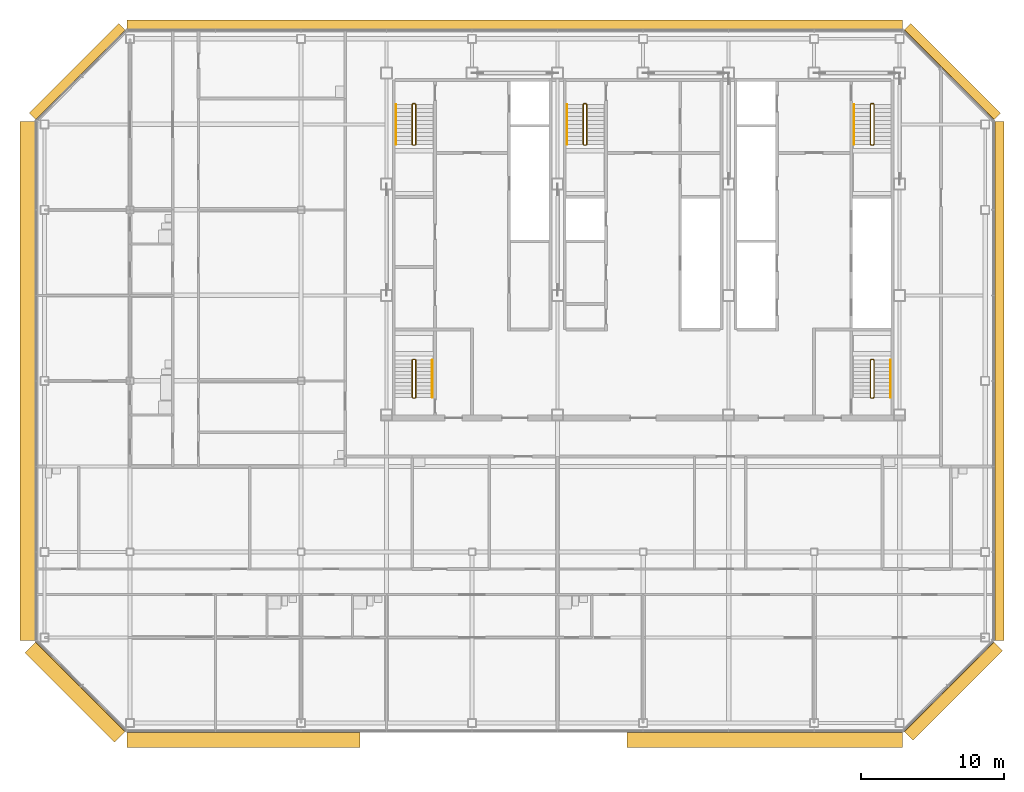
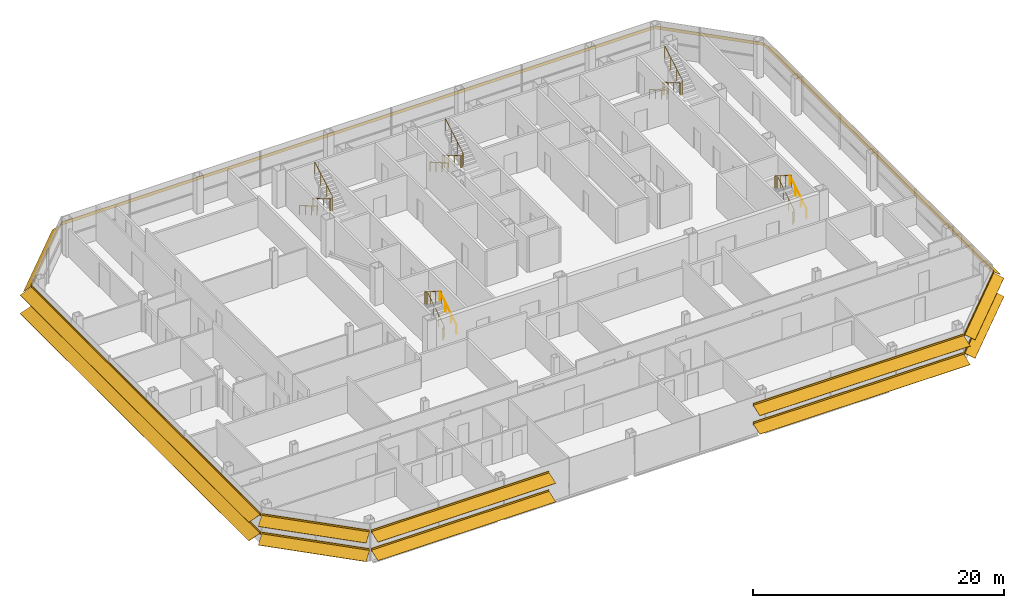
# One storey, part 26 of 27: 10 railings, 9 shading devices.
"""IFC4 building model written with IfcOpenShell, lengths in metres."""

from ifc_helpers import new_model, si_unit, direction, frame, origin, origin_2d, place, context, subcontext, project, spatial, polyline, circle, outline, composite_profile, extrude, material, type_object, element, save


model = new_model("IFC4")

# Units and contexts
model_context = context("Model", 3, precision=1e-05, world=origin(), true_north=direction((0.0, 1.0)))
body_context = subcontext(model_context, "Body", "Model", "MODEL_VIEW")
ifc_project = project(units=[si_unit("LENGTHUNIT", "METRE"), si_unit("AREAUNIT", "SQUARE_METRE"), si_unit("VOLUMEUNIT", "CUBIC_METRE"), si_unit("PLANEANGLEUNIT", "RADIAN"), si_unit("MASSUNIT", "GRAM", prefix="KILO")], contexts=[model_context])

# Site, building, storey
site_placement = place(None, origin())
site = spatial("IfcSite", under=ifc_project, at=site_placement, CompositionType="ELEMENT")
building_placement = place(site_placement, origin())
building = spatial("IfcBuilding", under=site, at=building_placement, Name="Sorahane Residences", CompositionType="ELEMENT")
storey_placement = place(building_placement, frame((0.0, 0.0, 294.39990234375)))
storey = spatial("IfcBuildingStorey", under=building, at=storey_placement, Name="L69", CompositionType="ELEMENT", Elevation=294.39990234375)

# Shading devices
ifc_material_1 = material(Name="Terracotta anodised aluminium", Category="masonry")
shading_device_type_1 = type_object("IfcShadingDeviceType", Name="Louvre sunshade blade E terracotta aluminium 700", PredefinedType="JALOUSIE", material=ifc_material_1)
shading_device_1_placement = place(storey_placement, frame((48.60009765625, 5.801513671875, 2.7001953125), z_axis=(0.0, 1.0, 0.0), x_axis=(-1.0, 0.0, 0.0)))
element("IfcShadingDevice", 1, at=shading_device_1_placement, inside=storey, type_object=shading_device_type_1, Name="Louvre sunshade blade bank E L69 E1", PredefinedType="JALOUSIE", context=body_context, shape_type="SweptSolid", body=[
    extrude(outline(polyline([(-0.719970703125, -0.49365234375), (-0.719970703125, -0.523681640625), (-0.080078125, -0.05859375), (-0.080078125, -0.14990234375), (-0.02001953125, -0.14990234375), (-0.02001953125, -0.014892578125), (-0.02001953125, 0.014892578125), (-0.02001953125, 0.14990234375), (-0.080078125, 0.14990234375), (-0.080078125, -0.028564453125), (-0.719970703125, -0.49365234375)])), origin(), (0.0, 0.0, 1.0), 36.39697265625),
])
ifc_material_2 = material(Name="Terracotta anodised aluminium", Category="masonry")
shading_device_type_2 = type_object("IfcShadingDeviceType", Name="Louvre sunshade blade N terracotta aluminium 700", PredefinedType="JALOUSIE", material=ifc_material_2)
shading_device_2_placement = place(storey_placement, frame((42.198486328125, 48.60009765625, 2.7001953125), z_axis=(-1.0, 0.0, 0.0), x_axis=(0.0, -1.0, 0.0)))
element("IfcShadingDevice", 2, at=shading_device_2_placement, inside=storey, type_object=shading_device_type_2, Name="Louvre sunshade blade bank N L69 N1", PredefinedType="JALOUSIE", context=body_context, shape_type="SweptSolid", body=[
    extrude(outline(polyline([(-0.719970703125, -0.660888671875), (-0.719970703125, -0.69091796875), (-0.080078125, -0.072998046875), (-0.080078125, -0.14990234375), (-0.02001953125, -0.14990234375), (-0.02001953125, -0.014892578125), (-0.02001953125, 0.014892578125), (-0.02001953125, 0.14990234375), (-0.080078125, 0.14990234375), (-0.080078125, -0.04296875), (-0.719970703125, -0.660888671875)])), origin(), (0.0, 0.0, 1.0), 54.39697265625),
])
ifc_material_3 = material(Name="Terracotta anodised aluminium", Category="masonry")
shading_device_type_3 = type_object("IfcShadingDeviceType", Name="Louvre sunshade blade NE terracotta aluminium 700", PredefinedType="JALOUSIE", material=ifc_material_3)
shading_device_3_placement = place(storey_placement, frame((48.564697265625, 42.283935546875, 2.7001953125), z_axis=(-0.707106781187, 0.707106781187, 0.0), x_axis=(-0.707106781187, -0.707106781187, 0.0)))
element("IfcShadingDevice", 3, at=shading_device_3_placement, inside=storey, type_object=shading_device_type_3, Name="Louvre sunshade blade bank NE L69 NE1", PredefinedType="JALOUSIE", context=body_context, shape_type="SweptSolid", body=[
    extrude(outline(polyline([(-0.719970703125, -0.572509765625), (-0.719970703125, -0.602294921875), (-0.080078125, -0.065185546875), (-0.080078125, -0.14990234375), (-0.02001953125, -0.14990234375), (-0.02001953125, -0.014892578125), (-0.02001953125, 0.014892578125), (-0.02001953125, 0.14990234375), (-0.080078125, 0.14990234375), (-0.080078125, -0.035400390625), (-0.719970703125, -0.572509765625)])), origin(), (0.0, 0.0, 1.0), 8.88232421875),
])
ifc_material_4 = material(Name="Terracotta anodised aluminium", Category="masonry")
shading_device_type_4 = type_object("IfcShadingDeviceType", Name="Louvre sunshade blade NW terracotta aluminium 700", PredefinedType="JALOUSIE", material=ifc_material_4)
shading_device_4_placement = place(storey_placement, frame((-12.283935546875, 48.564697265625, 2.7001953125), z_axis=(-0.707106781187, -0.707106781187, 0.0), x_axis=(0.707106781187, -0.707106781187, 0.0)))
element("IfcShadingDevice", 4, at=shading_device_4_placement, inside=storey, type_object=shading_device_type_4, Name="Louvre sunshade blade bank NW L69 NW1", PredefinedType="JALOUSIE", context=body_context, shape_type="SweptSolid", body=[
    extrude(outline(polyline([(-0.719970703125, -0.660888671875), (-0.719970703125, -0.69091796875), (-0.080078125, -0.072998046875), (-0.080078125, -0.14990234375), (-0.02001953125, -0.14990234375), (-0.02001953125, -0.014892578125), (-0.02001953125, 0.014892578125), (-0.02001953125, 0.14990234375), (-0.080078125, 0.14990234375), (-0.080078125, -0.04296875), (-0.719970703125, -0.660888671875)])), origin(), (0.0, 0.0, 1.0), 8.88232421875),
])
ifc_material_5 = material(Name="Terracotta anodised aluminium", Category="masonry")
shading_device_type_5 = type_object("IfcShadingDeviceType", Name="Louvre sunshade blade S terracotta aluminium 1100", PredefinedType="JALOUSIE", material=ifc_material_5)
shading_device_5_placement = place(storey_placement, frame((-12.198486328125, -0.60009765625, 0.900146484375), z_axis=(1.0, 0.0, 0.0), x_axis=(0.0, 1.0, 0.0)))
element("IfcShadingDevice", 5, at=shading_device_5_placement, inside=storey, type_object=shading_device_type_5, Name="Louvre sunshade blade bank S L69 S1", PredefinedType="JALOUSIE", context=body_context, shape_type="SweptSolid", body=[
    extrude(composite_profile([outline(polyline([(-1.1201171875, -0.385498046875), (-1.1201171875, -0.415283203125), (-0.080078125, -0.036865234375), (-0.080078125, -0.14990234375), (-0.02001953125, -0.14990234375), (-0.02001953125, -0.014892578125), (-0.02001953125, 0.014892578125), (-0.02001953125, 0.14990234375), (-0.080078125, 0.14990234375), (-0.080078125, -0.0068359375), (-1.1201171875, -0.385498046875)])), outline(polyline([(-1.1201171875, 1.41455078125), (-1.1201171875, 1.384521484375), (-0.080078125, 1.76318359375), (-0.080078125, 1.64990234375), (-0.02001953125, 1.64990234375), (-0.02001953125, 1.784912109375), (-0.02001953125, 1.81494140625), (-0.02001953125, 1.949951171875), (-0.080078125, 1.949951171875), (-0.080078125, 1.793212890625), (-1.1201171875, 1.41455078125)]))]), origin(), (0.0, 0.0, 1.0), 16.3291015625),
])
shading_device_6_placement = place(storey_placement, frame((22.869384765625, -0.60009765625, 0.900146484375), z_axis=(1.0, 0.0, 0.0), x_axis=(0.0, 1.0, 0.0)))
element("IfcShadingDevice", 6, at=shading_device_6_placement, inside=storey, type_object=shading_device_type_5, Name="Louvre sunshade blade bank S L69 S1 part 2", PredefinedType="JALOUSIE", context=body_context, shape_type="SweptSolid", body=[
    extrude(composite_profile([outline(polyline([(-1.1201171875, -0.385498046875), (-1.1201171875, -0.415283203125), (-0.080078125, -0.036865234375), (-0.080078125, -0.14990234375), (-0.02001953125, -0.14990234375), (-0.02001953125, -0.014892578125), (-0.02001953125, 0.014892578125), (-0.02001953125, 0.14990234375), (-0.080078125, 0.14990234375), (-0.080078125, -0.0068359375), (-1.1201171875, -0.385498046875)])), outline(polyline([(-1.1201171875, 1.41455078125), (-1.1201171875, 1.384521484375), (-0.080078125, 1.76318359375), (-0.080078125, 1.64990234375), (-0.02001953125, 1.64990234375), (-0.02001953125, 1.784912109375), (-0.02001953125, 1.81494140625), (-0.02001953125, 1.949951171875), (-0.080078125, 1.949951171875), (-0.080078125, 1.793212890625), (-1.1201171875, 1.41455078125)]))]), origin(), (0.0, 0.0, 1.0), 19.3291015625),
])
ifc_material_6 = material(Name="Terracotta anodised aluminium", Category="masonry")
shading_device_type_6 = type_object("IfcShadingDeviceType", Name="Louvre sunshade blade SE terracotta aluminium 900", PredefinedType="JALOUSIE", material=ifc_material_6)
shading_device_7_placement = place(storey_placement, frame((42.283935546875, -0.564697265625, 0.900146484375), z_axis=(0.707106781187, 0.707106781187, 0.0), x_axis=(-0.707106781187, 0.707106781187, 0.0)))
element("IfcShadingDevice", 7, at=shading_device_7_placement, inside=storey, type_object=shading_device_type_6, Name="Louvre sunshade blade bank SE L69 SE1", PredefinedType="JALOUSIE", context=body_context, shape_type="SweptSolid", body=[
    extrude(composite_profile([outline(polyline([(-0.919921875, -0.3486328125), (-0.919921875, -0.378662109375), (-0.080078125, -0.039306640625), (-0.080078125, -0.14990234375), (-0.02001953125, -0.14990234375), (-0.02001953125, -0.014892578125), (-0.02001953125, 0.014892578125), (-0.02001953125, 0.14990234375), (-0.080078125, 0.14990234375), (-0.080078125, -0.00927734375), (-0.919921875, -0.3486328125)])), outline(polyline([(-0.919921875, 1.451416015625), (-0.919921875, 1.42138671875), (-0.080078125, 1.7607421875), (-0.080078125, 1.64990234375), (-0.02001953125, 1.64990234375), (-0.02001953125, 1.784912109375), (-0.02001953125, 1.81494140625), (-0.02001953125, 1.949951171875), (-0.080078125, 1.949951171875), (-0.080078125, 1.790771484375), (-0.919921875, 1.451416015625)]))]), origin(), (0.0, 0.0, 1.0), 8.88232421875),
])
ifc_material_7 = material(Name="Terracotta anodised aluminium", Category="masonry")
shading_device_type_7 = type_object("IfcShadingDeviceType", Name="Louvre sunshade blade SW terracotta aluminium 1100", PredefinedType="JALOUSIE", material=ifc_material_7)
shading_device_8_placement = place(storey_placement, frame((-18.564697265625, 5.716064453125, 0.900146484375), z_axis=(0.707106781187, -0.707106781187, 0.0), x_axis=(0.707106781187, 0.707106781187, 0.0)))
element("IfcShadingDevice", 8, at=shading_device_8_placement, inside=storey, type_object=shading_device_type_7, Name="Louvre sunshade blade bank SW L69 SW1", PredefinedType="JALOUSIE", context=body_context, shape_type="SweptSolid", body=[
    extrude(composite_profile([outline(polyline([(-1.1201171875, -0.385498046875), (-1.1201171875, -0.415283203125), (-0.080078125, -0.036865234375), (-0.080078125, -0.14990234375), (-0.02001953125, -0.14990234375), (-0.02001953125, -0.014892578125), (-0.02001953125, 0.014892578125), (-0.02001953125, 0.14990234375), (-0.080078125, 0.14990234375), (-0.080078125, -0.0068359375), (-1.1201171875, -0.385498046875)])), outline(polyline([(-1.1201171875, 1.41455078125), (-1.1201171875, 1.384521484375), (-0.080078125, 1.76318359375), (-0.080078125, 1.64990234375), (-0.02001953125, 1.64990234375), (-0.02001953125, 1.784912109375), (-0.02001953125, 1.81494140625), (-0.02001953125, 1.949951171875), (-0.080078125, 1.949951171875), (-0.080078125, 1.793212890625), (-1.1201171875, 1.41455078125)]))]), origin(), (0.0, 0.0, 1.0), 8.88232421875),
])
ifc_material_8 = material(Name="Terracotta anodised aluminium", Category="masonry")
shading_device_type_8 = type_object("IfcShadingDeviceType", Name="Louvre sunshade blade W terracotta aluminium 1100", PredefinedType="JALOUSIE", material=ifc_material_8)
shading_device_9_placement = place(storey_placement, frame((-18.60009765625, 42.198486328125, 0.900146484375), z_axis=(0.0, -1.0, 0.0), x_axis=(1.0, 0.0, 0.0)))
element("IfcShadingDevice", 9, at=shading_device_9_placement, inside=storey, type_object=shading_device_type_8, Name="Louvre sunshade blade bank W L69 W1", PredefinedType="JALOUSIE", context=body_context, shape_type="SweptSolid", body=[
    extrude(composite_profile([outline(polyline([(-1.1201171875, -0.385498046875), (-1.1201171875, -0.415283203125), (-0.080078125, -0.036865234375), (-0.080078125, -0.14990234375), (-0.02001953125, -0.14990234375), (-0.02001953125, -0.014892578125), (-0.02001953125, 0.014892578125), (-0.02001953125, 0.14990234375), (-0.080078125, 0.14990234375), (-0.080078125, -0.0068359375), (-1.1201171875, -0.385498046875)])), outline(polyline([(-1.1201171875, 1.41455078125), (-1.1201171875, 1.384521484375), (-0.080078125, 1.76318359375), (-0.080078125, 1.64990234375), (-0.02001953125, 1.64990234375), (-0.02001953125, 1.784912109375), (-0.02001953125, 1.81494140625), (-0.02001953125, 1.949951171875), (-0.080078125, 1.949951171875), (-0.080078125, 1.793212890625), (-1.1201171875, 1.41455078125)]))]), origin(), (0.0, 0.0, 1.0), 36.39697265625),
])

# Railings
ifc_material_9 = material(Name="Steel Q355B", Category="steel")
railing_type_1 = type_object("IfcRailingType", Name="Stair guard 1200 Steel Q355B", PredefinedType="GUARDRAIL", material=ifc_material_9)
railing_1_placement = place(storey_placement, frame((8.0, 43.449951171875, 0.0)))
element("IfcRailing", 10, at=railing_1_placement, inside=storey, type_object=railing_type_1, Name="L69 S1 stair guard 1", PredefinedType="GUARDRAIL", context=body_context, shape_type="SweptSolid", body=[
    extrude(circle(Radius=0.02392578125, at=origin_2d()), frame((0.0, 0.0, 1.17578125), z_axis=(-1.0, 0.0, 0.0), x_axis=(0.0, -1.0, 0.0)), (0.0, 0.0, 1.0), 0.14990234375),
    extrude(circle(Radius=0.02392578125, at=origin_2d()), frame((-0.14990234375, 0.0, 1.17578125), z_axis=(-0.280456126637, -0.280456126637, 0.917980785237), x_axis=(0.707106781187, -0.707106781187, 0.0)), (0.0, 0.0, 1.0), 0.178466796875),
    extrude(circle(Radius=0.02392578125, at=origin_2d()), frame((-0.199951171875, -0.050048828125, 1.33984375), z_axis=(0.0, -0.863374499697, 0.504563646405), x_axis=(1.0, 0.0, 0.0)), (0.0, 0.0, 1.0), 3.242919921875),
    extrude(circle(Radius=0.02392578125, at=origin_2d()), frame((-0.199951171875, -2.849853515625, 2.97607421875), z_axis=(0.707106781187, -0.707106781187, 0.0), x_axis=(0.707106781187, 0.707106781187, 0.0)), (0.0, 0.0, 1.0), 0.07080078125),
    extrude(circle(Radius=0.02392578125, at=origin_2d()), frame((-0.14990234375, -2.89990234375, 2.97607421875), z_axis=(1.0, 0.0, 0.0), x_axis=(0.0, 1.0, 0.0)), (0.0, 0.0, 1.0), 0.14990234375),
    extrude(circle(Radius=0.02392578125, at=origin_2d()), frame((0.0, -2.89990234375, 2.97607421875), z_axis=(0.280808744504, 0.280808744504, 0.917765164963), x_axis=(-0.707106781187, 0.707106781187, 0.0)), (0.0, 0.0, 1.0), 0.17822265625),
    extrude(circle(Radius=0.02392578125, at=origin_2d()), frame((0.050048828125, -2.849853515625, 3.1396484375), z_axis=(0.0, 0.863341702679, 0.504619762213), x_axis=(-1.0, 0.0, 0.0)), (0.0, 0.0, 1.0), 3.242919921875),
    extrude(circle(Radius=0.02099609375, at=origin_2d()), origin(), (0.0, 0.0, 1.0), 1.15185546875),
    extrude(circle(Radius=0.02099609375, at=origin_2d()), frame((-0.14990234375, 0.0, 0.0)), (0.0, 0.0, 1.0), 1.15185546875),
    extrude(circle(Radius=0.02099609375, at=origin_2d()), frame((-0.199951171875, -0.050048828125, 0.163818359375)), (0.0, 0.0, 1.0), 1.15185546875),
    extrude(circle(Radius=0.02099609375, at=origin_2d()), frame((-0.199951171875, -0.9833984375, 0.709228515625)), (0.0, 0.0, 1.0), 1.15185546875),
    extrude(circle(Radius=0.02099609375, at=origin_2d()), frame((-0.199951171875, -1.91650390625, 1.254638671875)), (0.0, 0.0, 1.0), 1.15185546875),
    extrude(circle(Radius=0.02099609375, at=origin_2d()), frame((-0.199951171875, -2.849853515625, 1.800048828125)), (0.0, 0.0, 1.0), 1.15185546875),
    extrude(circle(Radius=0.02099609375, at=origin_2d()), frame((-0.14990234375, -2.89990234375, 1.800048828125)), (0.0, 0.0, 1.0), 1.15185546875),
    extrude(circle(Radius=0.02099609375, at=origin_2d()), frame((0.0, -2.89990234375, 1.800048828125)), (0.0, 0.0, 1.0), 1.15185546875),
    extrude(circle(Radius=0.02099609375, at=origin_2d()), frame((0.050048828125, -2.849853515625, 1.963623046875)), (0.0, 0.0, 1.0), 1.15185546875),
    extrude(circle(Radius=0.02099609375, at=origin_2d()), frame((0.050048828125, -1.91650390625, 2.509033203125)), (0.0, 0.0, 1.0), 1.15185546875),
    extrude(circle(Radius=0.02099609375, at=origin_2d()), frame((0.050048828125, -0.9833984375, 3.0546875)), (0.0, 0.0, 1.0), 1.15185546875),
    extrude(circle(Radius=0.02099609375, at=origin_2d()), frame((0.050048828125, -0.050048828125, 3.60009765625)), (0.0, 0.0, 1.0), 1.15185546875),
])
railing_2_placement = place(storey_placement, frame((40.14990234375, 43.449951171875, 0.0)))
element("IfcRailing", 11, at=railing_2_placement, inside=storey, type_object=railing_type_1, Name="L69 S2 stair guard 1", PredefinedType="GUARDRAIL", context=body_context, shape_type="SweptSolid", body=[
    extrude(circle(Radius=0.02392578125, at=origin_2d()), frame((0.0, 0.0, 1.17578125), z_axis=(-1.0, 0.0, 0.0), x_axis=(0.0, -1.0, 0.0)), (0.0, 0.0, 1.0), 0.14990234375),
    extrude(circle(Radius=0.02392578125, at=origin_2d()), frame((-0.14990234375, 0.0, 1.17578125), z_axis=(-0.280456126637, -0.280456126637, 0.917980785237), x_axis=(0.707106781187, -0.707106781187, 0.0)), (0.0, 0.0, 1.0), 0.178466796875),
    extrude(circle(Radius=0.02392578125, at=origin_2d()), frame((-0.199951171875, -0.050048828125, 1.33984375), z_axis=(0.0, -0.863374499697, 0.504563646405), x_axis=(1.0, 0.0, 0.0)), (0.0, 0.0, 1.0), 3.242919921875),
    extrude(circle(Radius=0.02392578125, at=origin_2d()), frame((-0.199951171875, -2.849853515625, 2.97607421875), z_axis=(0.707106781187, -0.707106781187, 0.0), x_axis=(0.707106781187, 0.707106781187, 0.0)), (0.0, 0.0, 1.0), 0.07080078125),
    extrude(circle(Radius=0.02392578125, at=origin_2d()), frame((-0.14990234375, -2.89990234375, 2.97607421875), z_axis=(1.0, 0.0, 0.0), x_axis=(0.0, 1.0, 0.0)), (0.0, 0.0, 1.0), 0.14990234375),
    extrude(circle(Radius=0.02392578125, at=origin_2d()), frame((0.0, -2.89990234375, 2.97607421875), z_axis=(0.280808744504, 0.280808744504, 0.917765164963), x_axis=(-0.707106781187, 0.707106781187, 0.0)), (0.0, 0.0, 1.0), 0.17822265625),
    extrude(circle(Radius=0.02392578125, at=origin_2d()), frame((0.050048828125, -2.849853515625, 3.1396484375), z_axis=(0.0, 0.863341702679, 0.504619762213), x_axis=(-1.0, 0.0, 0.0)), (0.0, 0.0, 1.0), 3.242919921875),
    extrude(circle(Radius=0.02099609375, at=origin_2d()), origin(), (0.0, 0.0, 1.0), 1.15185546875),
    extrude(circle(Radius=0.02099609375, at=origin_2d()), frame((-0.14990234375, 0.0, 0.0)), (0.0, 0.0, 1.0), 1.15185546875),
    extrude(circle(Radius=0.02099609375, at=origin_2d()), frame((-0.199951171875, -0.050048828125, 0.163818359375)), (0.0, 0.0, 1.0), 1.15185546875),
    extrude(circle(Radius=0.02099609375, at=origin_2d()), frame((-0.199951171875, -0.9833984375, 0.709228515625)), (0.0, 0.0, 1.0), 1.15185546875),
    extrude(circle(Radius=0.02099609375, at=origin_2d()), frame((-0.199951171875, -1.91650390625, 1.254638671875)), (0.0, 0.0, 1.0), 1.15185546875),
    extrude(circle(Radius=0.02099609375, at=origin_2d()), frame((-0.199951171875, -2.849853515625, 1.800048828125)), (0.0, 0.0, 1.0), 1.15185546875),
    extrude(circle(Radius=0.02099609375, at=origin_2d()), frame((-0.14990234375, -2.89990234375, 1.800048828125)), (0.0, 0.0, 1.0), 1.15185546875),
    extrude(circle(Radius=0.02099609375, at=origin_2d()), frame((0.0, -2.89990234375, 1.800048828125)), (0.0, 0.0, 1.0), 1.15185546875),
    extrude(circle(Radius=0.02099609375, at=origin_2d()), frame((0.050048828125, -2.849853515625, 1.963623046875)), (0.0, 0.0, 1.0), 1.15185546875),
    extrude(circle(Radius=0.02099609375, at=origin_2d()), frame((0.050048828125, -1.91650390625, 2.509033203125)), (0.0, 0.0, 1.0), 1.15185546875),
    extrude(circle(Radius=0.02099609375, at=origin_2d()), frame((0.050048828125, -0.9833984375, 3.0546875)), (0.0, 0.0, 1.0), 1.15185546875),
    extrude(circle(Radius=0.02099609375, at=origin_2d()), frame((0.050048828125, -0.050048828125, 3.60009765625)), (0.0, 0.0, 1.0), 1.15185546875),
])
railing_3_placement = place(storey_placement, frame((20.0, 43.449951171875, 0.0)))
element("IfcRailing", 12, at=railing_3_placement, inside=storey, type_object=railing_type_1, Name="L69 S3 stair guard 1", PredefinedType="GUARDRAIL", context=body_context, shape_type="SweptSolid", body=[
    extrude(circle(Radius=0.02392578125, at=origin_2d()), frame((0.0, 0.0, 1.17578125), z_axis=(-1.0, 0.0, 0.0), x_axis=(0.0, -1.0, 0.0)), (0.0, 0.0, 1.0), 0.14990234375),
    extrude(circle(Radius=0.02392578125, at=origin_2d()), frame((-0.14990234375, 0.0, 1.17578125), z_axis=(-0.280456126637, -0.280456126637, 0.917980785237), x_axis=(0.707106781187, -0.707106781187, 0.0)), (0.0, 0.0, 1.0), 0.178466796875),
    extrude(circle(Radius=0.02392578125, at=origin_2d()), frame((-0.199951171875, -0.050048828125, 1.33984375), z_axis=(0.0, -0.863374499697, 0.504563646405), x_axis=(1.0, 0.0, 0.0)), (0.0, 0.0, 1.0), 3.242919921875),
    extrude(circle(Radius=0.02392578125, at=origin_2d()), frame((-0.199951171875, -2.849853515625, 2.97607421875), z_axis=(0.707106781187, -0.707106781187, 0.0), x_axis=(0.707106781187, 0.707106781187, 0.0)), (0.0, 0.0, 1.0), 0.07080078125),
    extrude(circle(Radius=0.02392578125, at=origin_2d()), frame((-0.14990234375, -2.89990234375, 2.97607421875), z_axis=(1.0, 0.0, 0.0), x_axis=(0.0, 1.0, 0.0)), (0.0, 0.0, 1.0), 0.14990234375),
    extrude(circle(Radius=0.02392578125, at=origin_2d()), frame((0.0, -2.89990234375, 2.97607421875), z_axis=(0.280808744504, 0.280808744504, 0.917765164963), x_axis=(-0.707106781187, 0.707106781187, 0.0)), (0.0, 0.0, 1.0), 0.17822265625),
    extrude(circle(Radius=0.02392578125, at=origin_2d()), frame((0.050048828125, -2.849853515625, 3.1396484375), z_axis=(0.0, 0.863341702679, 0.504619762213), x_axis=(-1.0, 0.0, 0.0)), (0.0, 0.0, 1.0), 3.242919921875),
    extrude(circle(Radius=0.02099609375, at=origin_2d()), origin(), (0.0, 0.0, 1.0), 1.15185546875),
    extrude(circle(Radius=0.02099609375, at=origin_2d()), frame((-0.14990234375, 0.0, 0.0)), (0.0, 0.0, 1.0), 1.15185546875),
    extrude(circle(Radius=0.02099609375, at=origin_2d()), frame((-0.199951171875, -0.050048828125, 0.163818359375)), (0.0, 0.0, 1.0), 1.15185546875),
    extrude(circle(Radius=0.02099609375, at=origin_2d()), frame((-0.199951171875, -0.9833984375, 0.709228515625)), (0.0, 0.0, 1.0), 1.15185546875),
    extrude(circle(Radius=0.02099609375, at=origin_2d()), frame((-0.199951171875, -1.91650390625, 1.254638671875)), (0.0, 0.0, 1.0), 1.15185546875),
    extrude(circle(Radius=0.02099609375, at=origin_2d()), frame((-0.199951171875, -2.849853515625, 1.800048828125)), (0.0, 0.0, 1.0), 1.15185546875),
    extrude(circle(Radius=0.02099609375, at=origin_2d()), frame((-0.14990234375, -2.89990234375, 1.800048828125)), (0.0, 0.0, 1.0), 1.15185546875),
    extrude(circle(Radius=0.02099609375, at=origin_2d()), frame((0.0, -2.89990234375, 1.800048828125)), (0.0, 0.0, 1.0), 1.15185546875),
    extrude(circle(Radius=0.02099609375, at=origin_2d()), frame((0.050048828125, -2.849853515625, 1.963623046875)), (0.0, 0.0, 1.0), 1.15185546875),
    extrude(circle(Radius=0.02099609375, at=origin_2d()), frame((0.050048828125, -1.91650390625, 2.509033203125)), (0.0, 0.0, 1.0), 1.15185546875),
    extrude(circle(Radius=0.02099609375, at=origin_2d()), frame((0.050048828125, -0.9833984375, 3.0546875)), (0.0, 0.0, 1.0), 1.15185546875),
    extrude(circle(Radius=0.02099609375, at=origin_2d()), frame((0.050048828125, -0.050048828125, 3.60009765625)), (0.0, 0.0, 1.0), 1.15185546875),
])
railing_4_placement = place(storey_placement, frame((7.85009765625, 22.800048828125, 0.0)))
element("IfcRailing", 13, at=railing_4_placement, inside=storey, type_object=railing_type_1, Name="L69 S4 stair guard 1", PredefinedType="GUARDRAIL", context=body_context, shape_type="SweptSolid", body=[
    extrude(circle(Radius=0.02392578125, at=origin_2d()), frame((0.0, 0.0, 1.17578125), z_axis=(1.0, 0.0, 0.0), x_axis=(0.0, 1.0, 0.0)), (0.0, 0.0, 1.0), 0.14990234375),
    extrude(circle(Radius=0.02392578125, at=origin_2d()), frame((0.14990234375, 0.0, 1.17578125), z_axis=(0.280456126637, 0.280456126637, 0.917980785237), x_axis=(-0.707106781187, 0.707106781187, 0.0)), (0.0, 0.0, 1.0), 0.178466796875),
    extrude(circle(Radius=0.02392578125, at=origin_2d()), frame((0.199951171875, 0.050048828125, 1.33984375), z_axis=(0.0, 0.846337672412, 0.532646734952), x_axis=(-1.0, 0.0, 0.0)), (0.0, 0.0, 1.0), 3.07177734375),
    extrude(circle(Radius=0.02392578125, at=origin_2d()), frame((0.199951171875, 2.64990234375, 2.97607421875), z_axis=(-0.707106781187, 0.707106781187, 0.0), x_axis=(-0.707106781187, -0.707106781187, 0.0)), (0.0, 0.0, 1.0), 0.07080078125),
    extrude(circle(Radius=0.02392578125, at=origin_2d()), frame((0.14990234375, 2.699951171875, 2.97607421875), z_axis=(-1.0, 0.0, 0.0), x_axis=(0.0, -1.0, 0.0)), (0.0, 0.0, 1.0), 0.14990234375),
    extrude(circle(Radius=0.02392578125, at=origin_2d()), frame((0.0, 2.699951171875, 2.97607421875), z_axis=(-0.280808744504, -0.280808744504, 0.917765164963), x_axis=(0.707106781187, -0.707106781187, 0.0)), (0.0, 0.0, 1.0), 0.17822265625),
    extrude(circle(Radius=0.02392578125, at=origin_2d()), frame((-0.050048828125, 2.64990234375, 3.1396484375), z_axis=(0.0, -0.846301844409, 0.532703658848), x_axis=(1.0, 0.0, 0.0)), (0.0, 0.0, 1.0), 3.072021484375),
    extrude(circle(Radius=0.02099609375, at=origin_2d()), origin(), (0.0, 0.0, 1.0), 1.15185546875),
    extrude(circle(Radius=0.02099609375, at=origin_2d()), frame((0.14990234375, 0.0, 0.0)), (0.0, 0.0, 1.0), 1.15185546875),
    extrude(circle(Radius=0.02099609375, at=origin_2d()), frame((0.199951171875, 0.050048828125, 0.163818359375)), (0.0, 0.0, 1.0), 1.15185546875),
    extrude(circle(Radius=0.02099609375, at=origin_2d()), frame((0.199951171875, 0.916748046875, 0.709228515625)), (0.0, 0.0, 1.0), 1.15185546875),
    extrude(circle(Radius=0.02099609375, at=origin_2d()), frame((0.199951171875, 1.783203125, 1.254638671875)), (0.0, 0.0, 1.0), 1.15185546875),
    extrude(circle(Radius=0.02099609375, at=origin_2d()), frame((0.199951171875, 2.64990234375, 1.800048828125)), (0.0, 0.0, 1.0), 1.15185546875),
    extrude(circle(Radius=0.02099609375, at=origin_2d()), frame((0.14990234375, 2.699951171875, 1.800048828125)), (0.0, 0.0, 1.0), 1.15185546875),
    extrude(circle(Radius=0.02099609375, at=origin_2d()), frame((0.0, 2.699951171875, 1.800048828125)), (0.0, 0.0, 1.0), 1.15185546875),
    extrude(circle(Radius=0.02099609375, at=origin_2d()), frame((-0.050048828125, 2.64990234375, 1.963623046875)), (0.0, 0.0, 1.0), 1.15185546875),
    extrude(circle(Radius=0.02099609375, at=origin_2d()), frame((-0.050048828125, 1.783203125, 2.509033203125)), (0.0, 0.0, 1.0), 1.15185546875),
    extrude(circle(Radius=0.02099609375, at=origin_2d()), frame((-0.050048828125, 0.916748046875, 3.0546875)), (0.0, 0.0, 1.0), 1.15185546875),
    extrude(circle(Radius=0.02099609375, at=origin_2d()), frame((-0.050048828125, 0.050048828125, 3.60009765625)), (0.0, 0.0, 1.0), 1.15185546875),
])
railing_5_placement = place(storey_placement, frame((40.0, 22.800048828125, 0.0)))
element("IfcRailing", 14, at=railing_5_placement, inside=storey, type_object=railing_type_1, Name="L69 S5 stair guard 1", PredefinedType="GUARDRAIL", context=body_context, shape_type="SweptSolid", body=[
    extrude(circle(Radius=0.02392578125, at=origin_2d()), frame((0.0, 0.0, 1.17578125), z_axis=(1.0, 0.0, 0.0), x_axis=(0.0, 1.0, 0.0)), (0.0, 0.0, 1.0), 0.14990234375),
    extrude(circle(Radius=0.02392578125, at=origin_2d()), frame((0.14990234375, 0.0, 1.17578125), z_axis=(0.280456126637, 0.280456126637, 0.917980785237), x_axis=(-0.707106781187, 0.707106781187, 0.0)), (0.0, 0.0, 1.0), 0.178466796875),
    extrude(circle(Radius=0.02392578125, at=origin_2d()), frame((0.199951171875, 0.050048828125, 1.33984375), z_axis=(0.0, 0.846337672412, 0.532646734952), x_axis=(-1.0, 0.0, 0.0)), (0.0, 0.0, 1.0), 3.07177734375),
    extrude(circle(Radius=0.02392578125, at=origin_2d()), frame((0.199951171875, 2.64990234375, 2.97607421875), z_axis=(-0.707106781187, 0.707106781187, 0.0), x_axis=(-0.707106781187, -0.707106781187, 0.0)), (0.0, 0.0, 1.0), 0.07080078125),
    extrude(circle(Radius=0.02392578125, at=origin_2d()), frame((0.14990234375, 2.699951171875, 2.97607421875), z_axis=(-1.0, 0.0, 0.0), x_axis=(0.0, -1.0, 0.0)), (0.0, 0.0, 1.0), 0.14990234375),
    extrude(circle(Radius=0.02392578125, at=origin_2d()), frame((0.0, 2.699951171875, 2.97607421875), z_axis=(-0.280808744504, -0.280808744504, 0.917765164963), x_axis=(0.707106781187, -0.707106781187, 0.0)), (0.0, 0.0, 1.0), 0.17822265625),
    extrude(circle(Radius=0.02392578125, at=origin_2d()), frame((-0.050048828125, 2.64990234375, 3.1396484375), z_axis=(0.0, -0.846301844409, 0.532703658848), x_axis=(1.0, 0.0, 0.0)), (0.0, 0.0, 1.0), 3.072021484375),
    extrude(circle(Radius=0.02099609375, at=origin_2d()), origin(), (0.0, 0.0, 1.0), 1.15185546875),
    extrude(circle(Radius=0.02099609375, at=origin_2d()), frame((0.14990234375, 0.0, 0.0)), (0.0, 0.0, 1.0), 1.15185546875),
    extrude(circle(Radius=0.02099609375, at=origin_2d()), frame((0.199951171875, 0.050048828125, 0.163818359375)), (0.0, 0.0, 1.0), 1.15185546875),
    extrude(circle(Radius=0.02099609375, at=origin_2d()), frame((0.199951171875, 0.916748046875, 0.709228515625)), (0.0, 0.0, 1.0), 1.15185546875),
    extrude(circle(Radius=0.02099609375, at=origin_2d()), frame((0.199951171875, 1.783203125, 1.254638671875)), (0.0, 0.0, 1.0), 1.15185546875),
    extrude(circle(Radius=0.02099609375, at=origin_2d()), frame((0.199951171875, 2.64990234375, 1.800048828125)), (0.0, 0.0, 1.0), 1.15185546875),
    extrude(circle(Radius=0.02099609375, at=origin_2d()), frame((0.14990234375, 2.699951171875, 1.800048828125)), (0.0, 0.0, 1.0), 1.15185546875),
    extrude(circle(Radius=0.02099609375, at=origin_2d()), frame((0.0, 2.699951171875, 1.800048828125)), (0.0, 0.0, 1.0), 1.15185546875),
    extrude(circle(Radius=0.02099609375, at=origin_2d()), frame((-0.050048828125, 2.64990234375, 1.963623046875)), (0.0, 0.0, 1.0), 1.15185546875),
    extrude(circle(Radius=0.02099609375, at=origin_2d()), frame((-0.050048828125, 1.783203125, 2.509033203125)), (0.0, 0.0, 1.0), 1.15185546875),
    extrude(circle(Radius=0.02099609375, at=origin_2d()), frame((-0.050048828125, 0.916748046875, 3.0546875)), (0.0, 0.0, 1.0), 1.15185546875),
    extrude(circle(Radius=0.02099609375, at=origin_2d()), frame((-0.050048828125, 0.050048828125, 3.60009765625)), (0.0, 0.0, 1.0), 1.15185546875),
])
ifc_material_10 = material(Name="Steel Q355B", Category="steel")
railing_type_2 = type_object("IfcRailingType", Name="Stair handrail 900 Steel Q355B", PredefinedType="HANDRAIL", material=ifc_material_10)
for number, where, name in (
    (15, (6.64990234375, 43.39990234375, 0.163818359375), "L69 S1 stair handrail 1"),
    (16, (38.800048828125, 43.39990234375, 0.163818359375), "L69 S2 stair handrail 1"),
    (17, (18.64990234375, 43.39990234375, 0.163818359375), "L69 S3 stair handrail 1"),
):
    element("IfcRailing", number, at=place(storey_placement, frame(where)), inside=storey, type_object=railing_type_2, Name=name, PredefinedType="HANDRAIL", context=body_context, shape_type="SweptSolid", body=[
        extrude(circle(Radius=0.02392578125, at=origin_2d()), frame((0.0, 0.0, 0.8759765625), z_axis=(0.0, -0.863374499697, 0.504563646405), x_axis=(1.0, 0.0, 0.0)), (0.0, 0.0, 1.0), 3.242919921875),
        extrude(circle(Radius=0.02099609375, at=origin_2d()), origin(), (0.0, 0.0, 1.0), 0.851806640625),
        extrude(circle(Radius=0.02099609375, at=origin_2d()), frame((0.0, -0.933349609375, 0.54541015625)), (0.0, 0.0, 1.0), 0.851806640625),
        extrude(circle(Radius=0.02099609375, at=origin_2d()), frame((0.0, -1.866455078125, 1.0908203125)), (0.0, 0.0, 1.0), 0.851806640625),
        extrude(circle(Radius=0.02099609375, at=origin_2d()), frame((0.0, -2.7998046875, 1.63623046875)), (0.0, 0.0, 1.0), 0.851806640625),
    ])
for number, where, name in (
    (18, (9.199951171875, 22.85009765625, 0.163818359375), "L69 S4 stair handrail 1"),
    (19, (41.35009765625, 22.85009765625, 0.163818359375), "L69 S5 stair handrail 1"),
):
    element("IfcRailing", number, at=place(storey_placement, frame(where)), inside=storey, type_object=railing_type_2, Name=name, PredefinedType="HANDRAIL", context=body_context, shape_type="SweptSolid", body=[
        extrude(circle(Radius=0.02392578125, at=origin_2d()), frame((0.0, 0.0, 0.8759765625), z_axis=(0.0, 0.846337672412, 0.532646734952), x_axis=(-1.0, 0.0, 0.0)), (0.0, 0.0, 1.0), 3.07177734375),
        extrude(circle(Radius=0.02099609375, at=origin_2d()), origin(), (0.0, 0.0, 1.0), 0.851806640625),
        extrude(circle(Radius=0.02099609375, at=origin_2d()), frame((0.0, 0.86669921875, 0.54541015625)), (0.0, 0.0, 1.0), 0.851806640625),
        extrude(circle(Radius=0.02099609375, at=origin_2d()), frame((0.0, 1.733154296875, 1.0908203125)), (0.0, 0.0, 1.0), 0.851806640625),
        extrude(circle(Radius=0.02099609375, at=origin_2d()), frame((0.0, 2.599853515625, 1.63623046875)), (0.0, 0.0, 1.0), 0.851806640625),
    ])

save(model, "model.ifc")
